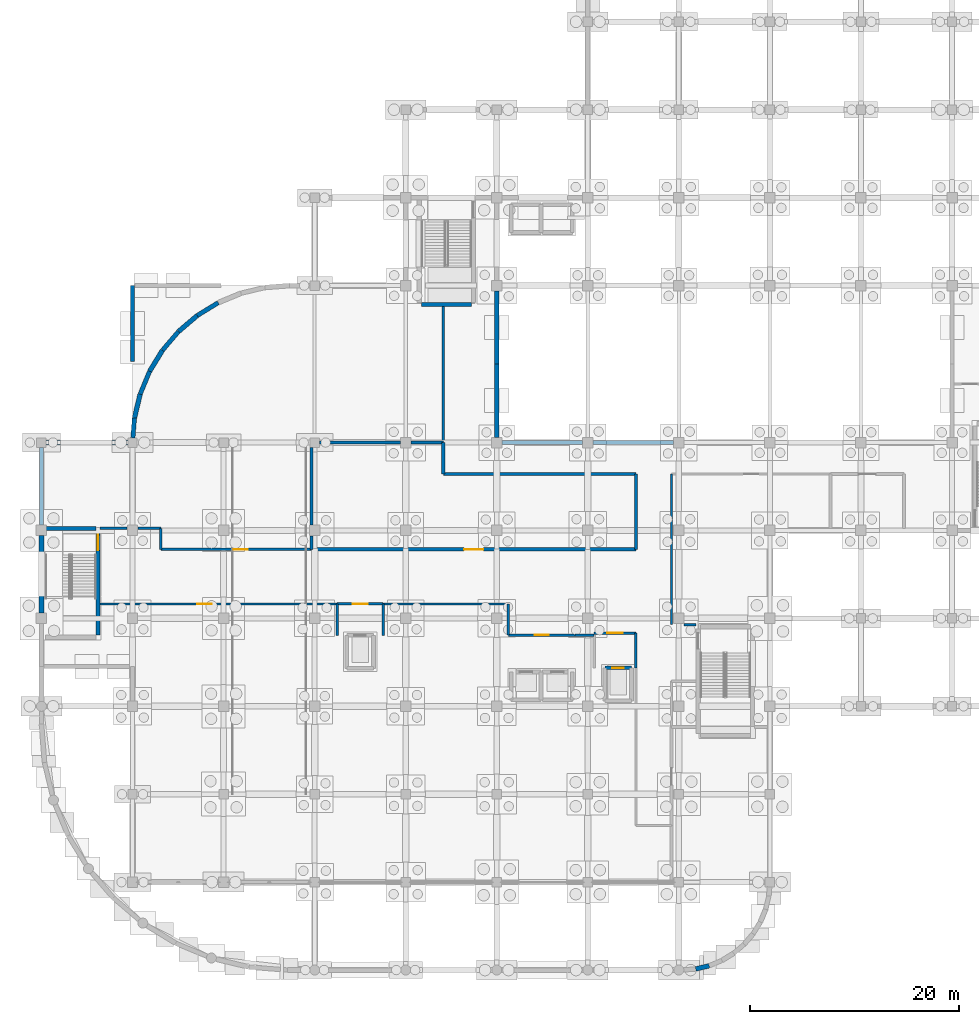
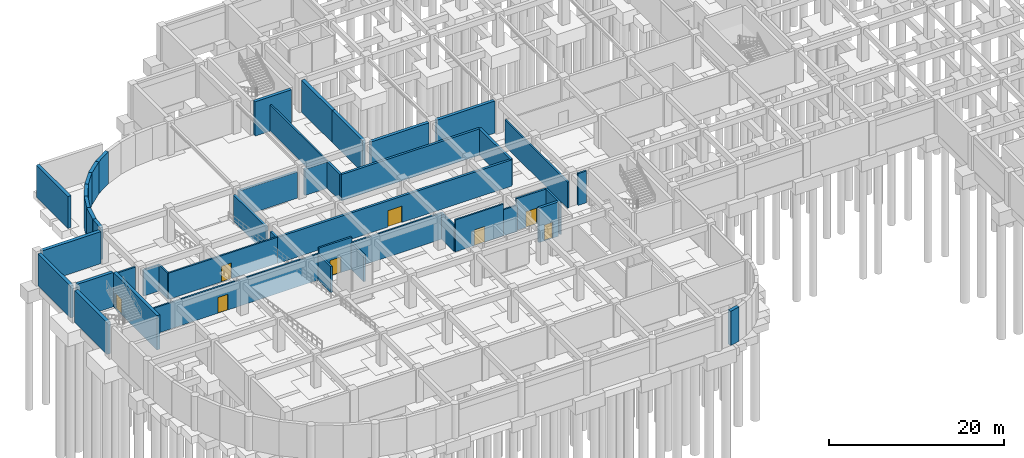
# One storey, part 25 of 33: 45 walls, 8 doors, 8 openings.
"""IFC4 building model written with IfcOpenShell, lengths in metres."""

import ifcopenshell
import ifcopenshell.guid

model = None  # the IFC model being written
_history = None  # IfcOwnerHistory: only IFC2X3 demands one
_inside = {}  # id of a spatial element -> (the spatial element, [elements in it])
_under = {}  # id of a project, library or spatial element -> (it, [spatial elements below it])
_declared = {}  # id of a project -> (the project, [libraries it declares])
_typed = {}  # id of a type object -> (the type object, [elements of that type])
_made_of = {}  # id of a material, layer set ... -> (it, [elements and type objects made of it])


def new_model(schema):
    """Start an empty IFC model of exactly this schema.

    Asked for "IFC4X3", IfcOpenShell would pick the latest addendum, in which some entities
    have other attributes; the version numbers below select the first issue.
    IFC2X3 requires an IfcOwnerHistory on every rooted entity: one is made here for all.
    """
    global model, _history
    if schema == "IFC4X3":
        model = ifcopenshell.file(schema_version=(4, 3, 0, 0))
    else:
        model = ifcopenshell.file(schema=schema)
    _inside.clear()
    _under.clear()
    _declared.clear()
    _typed.clear()
    _made_of.clear()
    _history = None
    if model.schema == "IFC2X3":
        org = make("IfcOrganization", Name="unknown")
        user = make(
            "IfcPersonAndOrganization",
            ThePerson=make("IfcPerson", FamilyName="unknown"),
            TheOrganization=org,
        )
        app = make(
            "IfcApplication",
            ApplicationDeveloper=org,
            Version="unknown",
            ApplicationFullName="unknown",
            ApplicationIdentifier="unknown",
        )
        _history = make(
            "IfcOwnerHistory",
            OwningUser=user,
            OwningApplication=app,
            ChangeAction="ADDED",
            CreationDate=0,
        )
    return model


def make(cls, **values):
    """One entity of the class cls with the attributes given. An attribute that is None is left unset."""
    return model.create_entity(
        cls, **{name: value for name, value in values.items() if value is not None}
    )


def rooted(cls, **values):
    """An entity with a GlobalId (a new one), such as an element, a storey or a relation."""
    return make(cls, GlobalId=ifcopenshell.guid.new(), OwnerHistory=_history, **values)


def si_unit(unit_type, name, prefix=None):
    """IfcSIUnit, for example si_unit("LENGTHUNIT", "METRE", prefix="MILLI")."""
    return make("IfcSIUnit", UnitType=unit_type, Prefix=prefix, Name=name)


def derived_unit(unit_type, elements):
    """IfcDerivedUnit: a product of units, each with its exponent."""
    return make(
        "IfcDerivedUnit",
        Elements=[
            make("IfcDerivedUnitElement", Unit=unit, Exponent=power)
            for unit, power in elements
        ],
        UnitType=unit_type,
    )


def assignment(units):
    """IfcUnitAssignment: the units of a project."""
    return None if units is None else make("IfcUnitAssignment", Units=units)


def point(xyz):
    """IfcCartesianPoint."""
    return None if xyz is None else make("IfcCartesianPoint", Coordinates=xyz)


def direction(xyz):
    """IfcDirection."""
    return None if xyz is None else make("IfcDirection", DirectionRatios=xyz)


def frame(location, z_axis=None, x_axis=None):
    """IfcAxis2Placement3D, a coordinate frame: its origin and axes. An axis left out is left unset."""
    return make(
        "IfcAxis2Placement3D",
        Location=point(location),
        Axis=direction(z_axis),
        RefDirection=direction(x_axis),
    )


def frame_2d(location, x_axis=None):
    """IfcAxis2Placement2D, a coordinate frame in the plane: its origin and x axis."""
    return make(
        "IfcAxis2Placement2D", Location=point(location), RefDirection=direction(x_axis)
    )


def origin():
    """The frame at (0, 0, 0) with its axes left unset."""
    return frame((0.0, 0.0, 0.0))


def place(relative_to, where):
    """IfcLocalPlacement: puts the frame where relative to a parent placement (None: the world)."""
    return make(
        "IfcLocalPlacement", PlacementRelTo=relative_to, RelativePlacement=where
    )


def context(
    kind, dimensions, precision=None, world=None, true_north=None, identifier=None
):
    """IfcGeometricRepresentationContext, for example the 3D "Model" context."""
    return make(
        "IfcGeometricRepresentationContext",
        ContextIdentifier=identifier,
        ContextType=kind,
        CoordinateSpaceDimension=dimensions,
        Precision=precision,
        WorldCoordinateSystem=world,
        TrueNorth=true_north,
    )


def subcontext(parent, identifier, kind, view, scale=None):
    """IfcGeometricRepresentationSubContext, for example "Body" below "Model"."""
    return make(
        "IfcGeometricRepresentationSubContext",
        ContextIdentifier=identifier,
        ContextType=kind,
        ParentContext=parent,
        TargetScale=scale,
        TargetView=view,
    )


def project(units=None, contexts=None):
    """IfcProject with its units and contexts."""
    return rooted(
        "IfcProject",
        Name="project",
        RepresentationContexts=contexts,
        UnitsInContext=assignment(units),
    )


def spatial(cls, under=None, at=None, **own):
    """A site, building, storey or space (cls), placed at a placement, below another one or the project."""
    s = rooted(cls, ObjectPlacement=at, **own)
    if under is not None:
        _under.setdefault(under.id(), (under, []))[1].append(s)
    return s


def profile(cls, at=None, kind="AREA", **sizes):
    """A parametric profile (cls). Its sizes go by their IFC names, for example OverallWidth=200.0."""
    return make(cls, ProfileType=kind, Position=at, **sizes)


def rectangle(**sizes):
    """IfcRectangleProfileDef."""
    return profile("IfcRectangleProfileDef", **sizes)


def extrude(swept, where, along, depth):
    """IfcExtrudedAreaSolid: the profile swept, set in the frame where, extruded along a direction by depth."""
    return make(
        "IfcExtrudedAreaSolid",
        SweptArea=swept,
        Position=where,
        ExtrudedDirection=direction(along),
        Depth=depth,
    )


def shape(context_of_items, identifier, shape_type, items):
    """IfcShapeRepresentation: the items that make up one representation, for example the "Body"."""
    return make(
        "IfcShapeRepresentation",
        ContextOfItems=context_of_items,
        RepresentationIdentifier=identifier,
        RepresentationType=shape_type,
        Items=items,
    )


def material(Name=None, Category=None):
    """IfcMaterial."""
    return make("IfcMaterial", Name=Name, Category=Category)


def layer(
    of_material, thickness, ventilated=None, Name=None, Category=None, Priority=None
):
    """IfcMaterialLayer: one layer of a wall or slab, of a material (None: an air gap)."""
    return make(
        "IfcMaterialLayer",
        Material=of_material,
        LayerThickness=thickness,
        IsVentilated=ventilated,
        Name=Name,
        Category=Category,
        Priority=Priority,
    )


def layer_set(layers, Name=None):
    """IfcMaterialLayerSet."""
    return make("IfcMaterialLayerSet", MaterialLayers=layers, LayerSetName=Name)


def made_of(thing, what):
    """Note that an element or type object is made of a material, layer set ...; save() writes the relation."""
    if what is not None:
        _made_of.setdefault(what.id(), (what, []))[1].append(thing)
    return thing


def type_object(cls, material=None, **own):
    """A type object (cls), such as IfcWallType, which elements share."""
    return made_of(rooted(cls, **own), material)


def element(
    cls,
    number,
    at=None,
    inside=None,
    cuts=None,
    type_object=None,
    material=None,
    context=None,
    identifier="Body",
    shape_type=None,
    held_by="IfcProductDefinitionShape",
    body=None,
    shapes=None,
    **own,
):
    """One element of the class cls, such as IfcWall. Its Tag is "e" and its number.

    at: its placement. inside: the storey or other place that contains it. cuts: it is an
    opening in that element (IfcRelVoidsElement). A single representation is given by context,
    identifier, shape_type and body (its items); several are given by shapes. held_by: the class
    of the entity that holds the representations. save() writes the other relations.
    """
    e = rooted(cls, Tag="e%d" % number, ObjectPlacement=at, **own)
    if body is not None:
        shapes = [shape(context, identifier, shape_type, body)]
    if shapes is not None:
        e.Representation = make(held_by, Representations=shapes)
    if inside is not None:
        _inside.setdefault(inside.id(), (inside, []))[1].append(e)
    if cuts is not None:
        rooted(
            "IfcRelVoidsElement", RelatingBuildingElement=cuts, RelatedOpeningElement=e
        )
    if type_object is not None:
        _typed.setdefault(type_object.id(), (type_object, []))[1].append(e)
    return made_of(e, material)


def fill(opening, filler):
    """IfcRelFillsElement: the door or window that sits in an opening."""
    return rooted(
        "IfcRelFillsElement",
        RelatingOpeningElement=opening,
        RelatedBuildingElement=filler,
    )


def aggregate(whole, parts):
    """IfcRelAggregates: a whole, such as a stair, and the parts it consists of."""
    return rooted("IfcRelAggregates", RelatingObject=whole, RelatedObjects=parts)


def save(model, path):
    """Write the relations noted so far, then the file.

    IfcRelAggregates (storeys below a building ...), IfcRelContainedInSpatialStructure (elements
    in a storey), IfcRelDefinesByType, IfcRelAssociatesMaterial and IfcRelDeclares: one each for
    every whole, place, type object, material and project.
    """
    for whole, parts in _under.values():
        aggregate(whole, parts)
    for where, things in _inside.values():
        rooted(
            "IfcRelContainedInSpatialStructure",
            RelatedElements=things,
            RelatingStructure=where,
        )
    for kind, things in _typed.values():
        rooted("IfcRelDefinesByType", RelatedObjects=things, RelatingType=kind)
    for what, things in _made_of.values():
        rooted("IfcRelAssociatesMaterial", RelatedObjects=things, RelatingMaterial=what)
    for by, libraries in _declared.values():
        rooted("IfcRelDeclares", RelatingContext=by, RelatedDefinitions=libraries)
    model.write(path)


model = new_model("IFC4")

# Units and contexts
model_context = context("Model", 3, precision=1e-05, world=origin(), true_north=direction((0.0, 1.0)))
body_context = subcontext(model_context, "Body", "Model", "MODEL_VIEW")
ifc_project = project(units=[si_unit("LENGTHUNIT", "METRE"), si_unit("AREAUNIT", "SQUARE_METRE"), si_unit("VOLUMEUNIT", "CUBIC_METRE"), si_unit("PLANEANGLEUNIT", "RADIAN"), si_unit("MASSUNIT", "GRAM", prefix="KILO"), derived_unit("THERMALTRANSMITTANCEUNIT", [(si_unit("MASSUNIT", "GRAM", prefix="KILO"), 1), (si_unit("TIMEUNIT", "SECOND"), -3), (si_unit("THERMODYNAMICTEMPERATUREUNIT", "KELVIN"), -1)])], contexts=[model_context])

# Site, building, storey
site_placement = place(None, origin())
site = spatial("IfcSite", under=ifc_project, at=site_placement, CompositionType="ELEMENT")
building_placement = place(site_placement, origin())
building = spatial("IfcBuilding", under=site, at=building_placement, Name="Qinzheling Arcade Emporium", CompositionType="ELEMENT")
storey_placement = place(building_placement, frame((0.0, 0.0, -9.60009765625)))
storey = spatial("IfcBuildingStorey", under=building, at=storey_placement, Name="B2", CompositionType="ELEMENT", Elevation=-9.60009765625)

# Wall, opening, door
ifc_material_1 = material(Name="Double-stud acoustic gypsum board partition")
ifc_layer_1 = layer(ifc_material_1, 0.215087890625, Name="Double-stud acoustic gypsum board partition")
ifc_layer_set_1 = layer_set([ifc_layer_1], Name="Double-stud acoustic gypsum board partition")
wall_type_1 = type_object("IfcWallType", Name="Acoustic Corridor Partition Wall 215", PredefinedType="PARTITIONING", material=ifc_layer_set_1)
wall_1_placement = place(storey_placement, frame((44.60009765625, 32.0, 0.0), z_axis=(0.0, 0.0, 1.0), x_axis=(1.0, 0.0, 0.0)))
wall_1 = element("IfcWall", 1, at=wall_1_placement, inside=storey, type_object=wall_type_1, Name="Interior Wall WL-B2-INT-0051", PredefinedType="PARTITIONING", context=body_context, shape_type="SweptSolid", body=[
    extrude(rectangle(XDim=6.39990234375, YDim=0.215087890625, at=frame_2d((3.199951171875, 0.0))), origin(), (0.0, 0.0, 1.0), 4.4501953125),
])
opening_1_placement = place(wall_1_placement, frame((2.52490234375, 0.0, 0.0)))
opening_1 = element("IfcOpeningElement", 2, at=opening_1_placement, cuts=wall_1, Name="Opening FD05", PredefinedType="OPENING", context=body_context, shape_type="SweptSolid", body=[
    extrude(rectangle(XDim=1.35009765625, YDim=2.199951171875, at=frame_2d((0.675048828125, 1.10009765625))), frame((0.0, 0.11767578125, 0.0), z_axis=(0.0, -1.0, 0.0), x_axis=(1.0, 0.0, 0.0)), (0.0, 0.0, 1.0), 0.235107421875),
])
ifc_material_2 = material(Name="Class B fire-rated stainless-clad door")
door_type_1 = type_object("IfcDoorType", Name="Kitchen Fire-Rated Service Door 1350x2200", OperationType="NOTDEFINED", PredefinedType="DOOR", material=ifc_material_2)
door_1_placement = place(opening_1_placement, origin())
door_1 = element("IfcDoor", 3, at=door_1_placement, inside=storey, type_object=door_type_1, Name="FD05 Interior Door DR-B2-INT-0016", OperationType="SINGLE_SWING_LEFT", OverallHeight=2.199951171875, OverallWidth=1.35009765625, PredefinedType="DOOR", context=body_context, shape_type="SweptSolid", body=[
    extrude(rectangle(XDim=1.35009765625, YDim=2.199951171875, at=frame_2d((0.675048828125, 1.10009765625))), frame((0.0, 0.02490234375, 0.0), z_axis=(0.0, -1.0, 0.0), x_axis=(1.0, 0.0, 0.0)), (0.0, 0.0, 1.0), 0.050048828125),
])
fill(opening_1, door_1)

# Walls
wall_2_placement = place(storey_placement, frame((60.199951171875, 47.39990234375, 0.0), z_axis=(0.0, 0.0, 1.0), x_axis=(0.0, -1.0, 0.0)))
element("IfcWall", 4, at=wall_2_placement, inside=storey, type_object=wall_type_1, Name="Interior Wall WL-B2-INT-0064", PredefinedType="PARTITIONING", context=body_context, shape_type="SweptSolid", body=[
    extrude(rectangle(XDim=14.39990234375, YDim=0.215087890625, at=frame_2d((7.199951171875, 0.0))), origin(), (0.0, 0.0, 1.0), 3.670166015625),
])
wall_3_placement = place(storey_placement, frame((61.409912109375, 33.0, 0.0), z_axis=(0.0, 0.0, 1.0), x_axis=(1.0, 0.0, 0.0)))
element("IfcWall", 5, at=wall_3_placement, inside=storey, type_object=wall_type_1, Name="Interior Wall WL-B2-INT-0065", PredefinedType="PARTITIONING", context=body_context, shape_type="SweptSolid", body=[
    extrude(rectangle(XDim=1.14013671875, YDim=0.215087890625, at=frame_2d((0.570068359375, 0.0))), origin(), (0.0, 0.0, 1.0), 4.4501953125),
])

# Wall, opening, door
wall_4_placement = place(storey_placement, frame((28.25, 34.97998046875, 0.0), z_axis=(0.0, 0.0, 1.0), x_axis=(-1.0, 0.0, 0.0)))
wall_4 = element("IfcWall", 6, at=wall_4_placement, inside=storey, type_object=wall_type_1, Name="Interior Wall WL-B2-INT-0066", PredefinedType="PARTITIONING", context=body_context, shape_type="SweptSolid", body=[
    extrude(rectangle(XDim=22.655029296875, YDim=0.215087890625, at=frame_2d((11.32763671875, 0.0))), origin(), (0.0, 0.0, 1.0), 3.670166015625),
])
opening_2_placement = place(wall_4_placement, frame((12.001953125, 0.0, 0.0)))
opening_2 = element("IfcOpeningElement", 7, at=opening_2_placement, cuts=wall_4, Name="Opening FD05", PredefinedType="OPENING", context=body_context, shape_type="SweptSolid", body=[
    extrude(rectangle(XDim=1.35009765625, YDim=2.199951171875, at=frame_2d((0.675048828125, 1.10009765625))), frame((0.0, 0.11767578125, 0.0), z_axis=(0.0, -1.0, 0.0), x_axis=(1.0, 0.0, 0.0)), (0.0, 0.0, 1.0), 0.235107421875),
])
door_2_placement = place(opening_2_placement, origin())
door_2 = element("IfcDoor", 8, at=door_2_placement, inside=storey, type_object=door_type_1, Name="FD05 Interior Door DR-B2-INT-0023", OperationType="SINGLE_SWING_RIGHT", OverallHeight=2.199951171875, OverallWidth=1.35009765625, PredefinedType="DOOR", context=body_context, shape_type="SweptSolid", body=[
    extrude(rectangle(XDim=1.35009765625, YDim=2.199951171875, at=frame_2d((0.675048828125, 1.10009765625))), frame((0.0, 0.02490234375, 0.0), z_axis=(0.0, -1.0, 0.0), x_axis=(1.0, 0.0, 0.0)), (0.0, 0.0, 1.0), 0.050048828125),
])
fill(opening_2, door_2)

# Walls
wall_5_placement = place(storey_placement, frame((44.60009765625, 32.0, 0.0), z_axis=(0.0, 0.0, 1.0), x_axis=(0.0, 1.0, 0.0)))
element("IfcWall", 9, at=wall_5_placement, inside=storey, type_object=wall_type_1, Name="Interior Wall WL-B2-INT-0067", PredefinedType="PARTITIONING", context=body_context, shape_type="SweptSolid", body=[
    extrude(rectangle(XDim=2.97998046875, YDim=0.215087890625, at=frame_2d((1.489990234375, 0.0))), origin(), (0.0, 0.0, 1.0), 3.670166015625),
])
wall_6_placement = place(storey_placement, frame((44.60009765625, 34.97998046875, 0.0), z_axis=(0.0, 0.0, 1.0), x_axis=(-1.0, 0.0, 0.0)))
element("IfcWall", 10, at=wall_6_placement, inside=storey, type_object=wall_type_1, Name="Interior Wall WL-B2-INT-0068", PredefinedType="PARTITIONING", context=body_context, shape_type="SweptSolid", body=[
    extrude(rectangle(XDim=11.9501953125, YDim=0.215087890625, at=frame_2d((5.97509765625, 0.0))), origin(), (0.0, 0.0, 1.0), 3.670166015625),
])
wall_7_placement = place(storey_placement, frame((52.800048828125, 32.0, 0.0), z_axis=(0.0, 0.0, 1.0), x_axis=(-1.0, 0.0, 0.0)))
element("IfcWall", 11, at=wall_7_placement, inside=storey, type_object=wall_type_1, Name="Interior Wall WL-B2-INT-0069", PredefinedType="PARTITIONING", context=body_context, shape_type="SweptSolid", body=[
    extrude(rectangle(XDim=1.800048828125, YDim=0.215087890625, at=frame_2d((0.89990234375, 0.0))), origin(), (0.0, 0.0, 1.0), 3.670166015625),
])
wall_8_placement = place(storey_placement, frame((5.590087890625, 42.199951171875, 0.0), z_axis=(0.0, 0.0, 1.0), x_axis=(1.0, 0.0, 0.0)))
element("IfcWall", 12, at=wall_8_placement, inside=storey, type_object=wall_type_1, Name="Interior Wall WL-B2-INT-0072", PredefinedType="PARTITIONING", context=body_context, shape_type="SweptSolid", body=[
    extrude(rectangle(XDim=2.599853515625, YDim=0.215087890625, at=frame_2d((1.2998046875, 0.0))), origin(), (0.0, 0.0, 1.0), 4.4501953125),
])
wall_9_placement = place(storey_placement, frame((9.2099609375, 42.199951171875, 0.0), z_axis=(0.0, 0.0, 1.0), x_axis=(1.0, 0.0, 0.0)))
element("IfcWall", 13, at=wall_9_placement, inside=storey, type_object=wall_type_1, Name="Interior Wall WL-B2-INT-0073", PredefinedType="PARTITIONING", context=body_context, shape_type="SweptSolid", body=[
    extrude(rectangle(XDim=2.18994140625, YDim=0.215087890625, at=frame_2d((1.094970703125, 0.0))), origin(), (0.0, 0.0, 1.0), 3.670166015625),
])
wall_10_placement = place(storey_placement, frame((11.39990234375, 42.199951171875, 0.0), z_axis=(0.0, 0.0, 1.0), x_axis=(0.0, -1.0, 0.0)))
element("IfcWall", 14, at=wall_10_placement, inside=storey, type_object=wall_type_1, Name="Interior Wall WL-B2-INT-0074", PredefinedType="PARTITIONING", context=body_context, shape_type="SweptSolid", body=[
    extrude(rectangle(XDim=2.0, YDim=0.215087890625, at=frame_2d((1.0, 0.0))), origin(), (0.0, 0.0, 1.0), 3.670166015625),
])

# Wall, opening, door
wall_11_placement = place(storey_placement, frame((11.39990234375, 40.199951171875, 0.0), z_axis=(0.0, 0.0, 1.0), x_axis=(1.0, 0.0, 0.0)))
wall_11 = element("IfcWall", 15, at=wall_11_placement, inside=storey, type_object=wall_type_1, Name="Interior Wall WL-B2-INT-0075", PredefinedType="PARTITIONING", context=body_context, shape_type="SweptSolid", body=[
    extrude(rectangle(XDim=14.400146484375, YDim=0.215087890625, at=frame_2d((7.2001953125, 0.0))), origin(), (0.0, 0.0, 1.0), 3.670166015625),
])
opening_3_placement = place(wall_11_placement, frame((6.97509765625, 0.0, 0.0)))
opening_3 = element("IfcOpeningElement", 16, at=opening_3_placement, cuts=wall_11, Name="Opening FD05", PredefinedType="OPENING", context=body_context, shape_type="SweptSolid", body=[
    extrude(rectangle(XDim=1.35009765625, YDim=2.199951171875, at=frame_2d((0.675048828125, 1.10009765625))), frame((0.0, 0.11767578125, 0.0), z_axis=(0.0, -1.0, 0.0), x_axis=(1.0, 0.0, 0.0)), (0.0, 0.0, 1.0), 0.235107421875),
])
door_3_placement = place(opening_3_placement, origin())
door_3 = element("IfcDoor", 17, at=door_3_placement, inside=storey, type_object=door_type_1, Name="FD05 Interior Door DR-B2-INT-0024", OperationType="SINGLE_SWING_LEFT", OverallHeight=2.199951171875, OverallWidth=1.35009765625, PredefinedType="DOOR", context=body_context, shape_type="SweptSolid", body=[
    extrude(rectangle(XDim=1.35009765625, YDim=2.199951171875, at=frame_2d((0.675048828125, 1.10009765625))), frame((0.0, 0.02490234375, 0.0), z_axis=(0.0, -1.0, 0.0), x_axis=(1.0, 0.0, 0.0)), (0.0, 0.0, 1.0), 0.050048828125),
])
fill(opening_3, door_3)

# Walls
wall_12_placement = place(storey_placement, frame((38.39990234375, 50.39990234375, 0.0), z_axis=(0.0, 0.0, 1.0), x_axis=(0.0, 1.0, 0.0)))
element("IfcWall", 18, at=wall_12_placement, inside=storey, type_object=wall_type_1, Name="Interior Wall WL-B2-INT-0076", PredefinedType="PARTITIONING", context=body_context, shape_type="SweptSolid", body=[
    extrude(rectangle(XDim=12.9951171875, YDim=0.215087890625, at=frame_2d((6.49755859375, 0.0))), origin(), (0.0, 0.0, 1.0), 3.670166015625),
])
ifc_material_3 = material(Name="Concrete C40", Category="concrete")
ifc_layer_2 = layer(ifc_material_3, 0.419921875, Name="Concrete C40", Category="concrete")
ifc_layer_set_2 = layer_set([ifc_layer_2], Name="Concrete C40")
wall_type_2 = type_object("IfcWallType", Name="Basement Ramp Retaining Wall 420 C40", PredefinedType="USERDEFINED", material=ifc_layer_set_2)
wall_13_placement = place(storey_placement, frame((0.0, 42.501953125, 0.0), z_axis=(0.0, 0.0, 1.0), x_axis=(0.0, 1.0, 0.0)))
element("IfcWall", 19, at=wall_13_placement, inside=storey, type_object=wall_type_2, Name="Retaining Wall WL-B2-RW-032", ObjectType="RETAININGWALL", PredefinedType="USERDEFINED", context=body_context, shape_type="SweptSolid", body=[
    extrude(rectangle(XDim=7.446044921875, YDim=0.419921875, at=frame_2d((3.72314453125, 0.0))), origin(), (0.0, 0.0, 1.0), 4.47998046875),
])
wall_14_placement = place(storey_placement, frame((8.736083984375, 50.85107421875, 0.0), z_axis=(0.0, 0.0, 1.0), x_axis=(0.078306322526, 0.996929345467, 0.0)))
element("IfcWall", 20, at=wall_14_placement, inside=storey, type_object=wall_type_2, Name="Retaining Wall WL-B2-RW-034", ObjectType="RETAININGWALL", PredefinedType="USERDEFINED", context=body_context, shape_type="SweptSolid", body=[
    extrude(rectangle(XDim=1.90185546875, YDim=0.419921875, at=frame_2d((0.950927734375, 0.0))), origin(), (0.0, 0.0, 1.0), 4.47998046875),
])
wall_15_placement = place(storey_placement, frame((9.43408203125, 55.034912109375, 0.0), z_axis=(0.0, 0.0, 1.0), x_axis=(0.382663195145, 0.923887914783, 0.0)))
element("IfcWall", 21, at=wall_15_placement, inside=storey, type_object=wall_type_2, Name="Retaining Wall WL-B2-RW-036", ObjectType="RETAININGWALL", PredefinedType="USERDEFINED", context=body_context, shape_type="SweptSolid", body=[
    extrude(rectangle(XDim=2.354248046875, YDim=0.419921875, at=frame_2d((1.17724609375, 0.0))), origin(), (0.0, 0.0, 1.0), 4.47998046875),
])
wall_16_placement = place(storey_placement, frame((11.56494140625, 59.217041015625, 0.0), z_axis=(0.0, 0.0, 1.0), x_axis=(0.649260916394, 0.760565751558, 0.0)))
element("IfcWall", 22, at=wall_16_placement, inside=storey, type_object=wall_type_2, Name="Retaining Wall WL-B2-RW-038", ObjectType="RETAININGWALL", PredefinedType="USERDEFINED", context=body_context, shape_type="SweptSolid", body=[
    extrude(rectangle(XDim=2.353515625, YDim=0.419921875, at=frame_2d((1.1767578125, 0.0))), origin(), (0.0, 0.0, 1.0), 4.47998046875),
])
wall_17_placement = place(storey_placement, frame((14.883056640625, 62.534912109375, 0.0), z_axis=(0.0, 0.0, 1.0), x_axis=(0.852604233849, 0.522557193447, 0.0)))
element("IfcWall", 23, at=wall_17_placement, inside=storey, type_object=wall_type_2, Name="Retaining Wall WL-B2-RW-040", ObjectType="RETAININGWALL", PredefinedType="USERDEFINED", context=body_context, shape_type="SweptSolid", body=[
    extrude(rectangle(XDim=2.353759765625, YDim=0.419921875, at=frame_2d((1.1767578125, 0.0))), origin(), (0.0, 0.0, 1.0), 4.47998046875),
])

# Wall, opening, door
ifc_material_4 = material(Name="Fire-rated double-stud gypsum and mineral wool wall")
ifc_layer_3 = layer(ifc_material_4, 0.2451171875, Name="Fire-rated double-stud gypsum and mineral wool wall")
ifc_layer_set_3 = layer_set([ifc_layer_3], Name="Fire-rated double-stud gypsum and mineral wool wall")
wall_type_3 = type_object("IfcWallType", Name="Firefighting Lobby Rated Wall 245", PredefinedType="STANDARD", material=ifc_layer_set_3)
wall_18_placement = place(storey_placement, frame((52.800048828125, 32.199951171875, 0.0), z_axis=(0.0, 0.0, 1.0), x_axis=(1.0, 0.0, 0.0)))
wall_18 = element("IfcWall", 24, at=wall_18_placement, inside=storey, type_object=wall_type_3, Name="Interior Wall WL-B2-INT-0045", PredefinedType="STANDARD", context=body_context, shape_type="SweptSolid", body=[
    extrude(rectangle(XDim=4.0, YDim=0.2451171875, at=frame_2d((2.0, 0.0))), origin(), (0.0, 0.0, 1.0), 4.4501953125),
])
opening_4_placement = place(wall_18_placement, frame((1.27490234375, 0.0, 0.0)))
opening_4 = element("IfcOpeningElement", 25, at=opening_4_placement, cuts=wall_18, Name="Opening FD02", PredefinedType="OPENING", context=body_context, shape_type="SweptSolid", body=[
    extrude(rectangle(XDim=1.449951171875, YDim=2.199951171875, at=frame_2d((0.72509765625, 1.10009765625))), frame((0.0, 0.132568359375, 0.0), z_axis=(0.0, -1.0, 0.0), x_axis=(1.0, 0.0, 0.0)), (0.0, 0.0, 1.0), 0.26513671875),
])
ifc_material_5 = material(Name="Class A fire-rated steel double door", Category="steel")
door_type_2 = type_object("IfcDoorType", Name="Firefighting Lobby Fire Door 1450x2200", OperationType="DOUBLE_DOOR_SINGLE_SWING", PredefinedType="DOOR", material=ifc_material_5)
door_4_placement = place(opening_4_placement, origin())
door_4 = element("IfcDoor", 26, at=door_4_placement, inside=storey, type_object=door_type_2, Name="FD02 Interior Door DR-B2-INT-0014", OperationType="DOUBLE_DOOR_SINGLE_SWING", OverallHeight=2.199951171875, OverallWidth=1.449951171875, PredefinedType="DOOR", context=body_context, shape_type="SweptSolid", body=[
    extrude(rectangle(XDim=1.449951171875, YDim=2.199951171875, at=frame_2d((0.72509765625, 1.10009765625))), frame((0.0, 0.02490234375, 0.0), z_axis=(0.0, -1.0, 0.0), x_axis=(1.0, 0.0, 0.0)), (0.0, 0.0, 1.0), 0.050048828125),
])
fill(opening_4, door_4)

# Wall
wall_19_placement = place(storey_placement, frame((56.800048828125, 32.199951171875, 0.0), z_axis=(0.0, 0.0, 1.0), x_axis=(0.0, -1.0, 0.0)))
element("IfcWall", 27, at=wall_19_placement, inside=storey, type_object=wall_type_3, Name="Interior Wall WL-B2-INT-0046", PredefinedType="STANDARD", context=body_context, shape_type="SweptSolid", body=[
    extrude(rectangle(XDim=3.320068359375, YDim=0.2451171875, at=frame_2d((1.66015625, 0.0))), origin(), (0.0, 0.0, 1.0), 4.4501953125),
])

# Wall, opening, door
wall_20_placement = place(storey_placement, frame((28.25, 34.97998046875, 0.0), z_axis=(0.0, 0.0, 1.0), x_axis=(1.0, 0.0, 0.0)))
wall_20 = element("IfcWall", 28, at=wall_20_placement, inside=storey, type_object=wall_type_3, Name="Interior Wall WL-B2-INT-0048", PredefinedType="STANDARD", context=body_context, shape_type="SweptSolid", body=[
    extrude(rectangle(XDim=4.39990234375, YDim=0.2451171875, at=frame_2d((2.199951171875, 0.0))), origin(), (0.0, 0.0, 1.0), 4.4501953125),
])
opening_5_placement = place(wall_20_placement, frame((1.47509765625, 0.0, 0.0)))
opening_5 = element("IfcOpeningElement", 29, at=opening_5_placement, cuts=wall_20, Name="Opening FD02", PredefinedType="OPENING", context=body_context, shape_type="SweptSolid", body=[
    extrude(rectangle(XDim=1.449951171875, YDim=2.199951171875, at=frame_2d((0.72509765625, 1.10009765625))), frame((0.0, 0.132568359375, 0.0), z_axis=(0.0, -1.0, 0.0), x_axis=(1.0, 0.0, 0.0)), (0.0, 0.0, 1.0), 0.26513671875),
])
door_5_placement = place(opening_5_placement, origin())
door_5 = element("IfcDoor", 30, at=door_5_placement, inside=storey, type_object=door_type_2, Name="FD02 Interior Door DR-B2-INT-0015", OperationType="DOUBLE_DOOR_SINGLE_SWING", OverallHeight=2.199951171875, OverallWidth=1.449951171875, PredefinedType="DOOR", context=body_context, shape_type="SweptSolid", body=[
    extrude(rectangle(XDim=1.449951171875, YDim=2.199951171875, at=frame_2d((0.72509765625, 1.10009765625))), frame((0.0, 0.02490234375, 0.0), z_axis=(0.0, -1.0, 0.0), x_axis=(1.0, 0.0, 0.0)), (0.0, 0.0, 1.0), 0.050048828125),
])
fill(opening_5, door_5)

# Walls
for number, where, z_axis, x_axis, name in (
    (31, (28.25, 31.97998046875, 0.0), (0.0, 0.0, 1.0), (0.0, 1.0, 0.0), "Interior Wall WL-B2-INT-0049"),
    (32, (32.64990234375, 34.97998046875, 0.0), (0.0, 0.0, 1.0), (0.0, -1.0, 0.0), "Interior Wall WL-B2-INT-0050"),
):
    element("IfcWall", number, at=place(storey_placement, frame(where, z_axis=z_axis, x_axis=x_axis)), inside=storey, type_object=wall_type_3, Name=name, PredefinedType="STANDARD", context=body_context, shape_type="SweptSolid", body=[
        extrude(rectangle(XDim=3.0, YDim=0.2451171875, at=frame_2d((1.5, 0.0))), origin(), (0.0, 0.0, 1.0), 3.670166015625),
    ])
ifc_layer_4 = layer(ifc_material_3, 0.409912109375, Name="Concrete C40", Category="concrete")
ifc_layer_set_4 = layer_set([ifc_layer_4], Name="Concrete C40")
wall_type_4 = type_object("IfcWallType", Name="Interior Basement Retaining Wall 410 C40", PredefinedType="USERDEFINED", material=ifc_layer_set_4)
wall_21_placement = place(storey_placement, frame((8.699951171875, 58.1279296875, 0.0), z_axis=(0.0, 0.0, 1.0), x_axis=(0.0, 1.0, 0.0)))
element("IfcWall", 33, at=wall_21_placement, inside=storey, type_object=wall_type_4, Name="Internal Basement Retaining Wall WL-B2-RW-136", ObjectType="RETAININGWALL", PredefinedType="USERDEFINED", context=body_context, shape_type="SweptSolid", body=[
    extrude(rectangle(XDim=7.27197265625, YDim=0.409912109375, at=frame_2d((3.635986328125, 0.0))), origin(), (0.0, 0.0, 1.0), 4.47998046875),
])
for number, where, z_axis, x_axis, name in (
    (34, (43.5, 64.89794921875, 0.0), (0.0, 0.0, 1.0), (0.0, -1.0, 0.0), "Internal Basement Retaining Wall WL-B2-RW-142"),
    (35, (43.5, 57.89794921875, 0.0), (0.0, 0.0, 1.0), (0.0, -1.0, 0.0), "Internal Basement Retaining Wall WL-B2-RW-143"),
):
    element("IfcWall", number, at=place(storey_placement, frame(where, z_axis=z_axis, x_axis=x_axis)), inside=storey, type_object=wall_type_4, Name=name, ObjectType="RETAININGWALL", PredefinedType="USERDEFINED", context=body_context, shape_type="SweptSolid", body=[
        extrude(rectangle(XDim=6.995849609375, YDim=0.409912109375, at=frame_2d((3.498046875, 0.0))), origin(), (0.0, 0.0, 1.0), 4.47998046875),
    ])
for number, where, z_axis, x_axis, name in (
    (36, (44.001953125, 50.39990234375, 0.0), (0.0, 0.0, 1.0), (1.0, 0.0, 0.0), "Internal Basement Retaining Wall WL-B2-RW-144"),
    (37, (52.701904296875, 50.39990234375, 0.0), (0.0, 0.0, 1.0), (1.0, 0.0, 0.0), "Internal Basement Retaining Wall WL-B2-RW-145"),
):
    element("IfcWall", number, at=place(storey_placement, frame(where, z_axis=z_axis, x_axis=x_axis)), inside=storey, type_object=wall_type_4, Name=name, ObjectType="RETAININGWALL", PredefinedType="USERDEFINED", context=body_context, shape_type="SweptSolid", body=[
        extrude(rectangle(XDim=7.696044921875, YDim=0.409912109375, at=frame_2d((3.84814453125, 0.0))), origin(), (0.0, 0.0, 1.0), 4.47998046875),
    ])

# Wall, opening, door
ifc_layer_5 = layer(ifc_material_3, 0.35009765625, Name="Concrete C40", Category="concrete")
ifc_layer_set_5 = layer_set([ifc_layer_5], Name="Concrete C40")
wall_type_5 = type_object("IfcWallType", Name="RC Lift Shaft Shear Wall 350 C40", PredefinedType="SHEAR", material=ifc_layer_set_5)
wall_22_placement = place(storey_placement, frame((53.824951171875, 28.875, 0.0), z_axis=(0.0, 0.0, 1.0), x_axis=(1.0, 0.0, 0.0)))
wall_22 = element("IfcWall", 38, at=wall_22_placement, inside=storey, type_object=wall_type_5, Name="Lift Shaft Wall WL-B2-LFT-LF01-N", PredefinedType="SHEAR", context=body_context, shape_type="SweptSolid", body=[
    extrude(rectangle(XDim=2.550048828125, YDim=0.35009765625, at=frame_2d((1.27490234375, 0.0))), origin(), (0.0, 0.0, 1.0), 4.800048828125),
])
opening_6_placement = place(wall_22_placement, frame((0.72509765625, 0.0, 0.0)))
opening_6 = element("IfcOpeningElement", 39, at=opening_6_placement, cuts=wall_22, Name="Opening LD01", PredefinedType="OPENING", context=body_context, shape_type="SweptSolid", body=[
    extrude(rectangle(XDim=1.10009765625, YDim=2.199951171875, at=frame_2d((0.550048828125, 1.10009765625))), frame((0.0, 0.18505859375, 0.0), z_axis=(0.0, -1.0, 0.0), x_axis=(1.0, 0.0, 0.0)), (0.0, 0.0, 1.0), 0.3701171875),
])
ifc_material_6 = material(Name="Fire-rated stainless steel sliding lift door", Category="steel")
door_type_3 = type_object("IfcDoorType", Name="Firefighting Lift Sliding Landing Door 1100x2200", OperationType="DOUBLE_DOOR_SLIDING", PredefinedType="DOOR", material=ifc_material_6)
door_6_placement = place(opening_6_placement, origin())
door_6 = element("IfcDoor", 40, at=door_6_placement, inside=storey, type_object=door_type_3, Name="LD01 Lift Landing Door LF01 B2", OperationType="DOUBLE_DOOR_SLIDING", OverallHeight=2.199951171875, OverallWidth=1.10009765625, PredefinedType="DOOR", context=body_context, shape_type="SweptSolid", body=[
    extrude(rectangle(XDim=1.10009765625, YDim=2.199951171875, at=frame_2d((0.550048828125, 1.10009765625))), frame((0.0, 0.02490234375, 0.0), z_axis=(0.0, -1.0, 0.0), x_axis=(1.0, 0.0, 0.0)), (0.0, 0.0, 1.0), 0.050048828125),
])
fill(opening_6, door_6)

ifc_material_7 = material(Name="Concrete C50", Category="concrete")
ifc_layer_6 = layer(ifc_material_7, 0.39990234375, Name="Concrete C50", Category="concrete")
ifc_layer_set_6 = layer_set([ifc_layer_6], Name="Concrete C50")
wall_type_6 = type_object("IfcWallType", Name="RC Stair Core Shear Wall 400 C50", PredefinedType="SHEAR", material=ifc_layer_set_6)
wall_23_placement = place(storey_placement, frame((5.389892578125, 42.0, 0.0), z_axis=(0.0, 0.0, 1.0), x_axis=(0.0, -1.0, 0.0)))
wall_23 = element("IfcWall", 41, at=wall_23_placement, inside=storey, type_object=wall_type_6, Name="Stair Core Wall WL-B2-ST02-EAST", PredefinedType="SHEAR", context=body_context, shape_type="SweptSolid", body=[
    extrude(rectangle(XDim=10.0, YDim=0.39990234375, at=frame_2d((5.0, 0.0))), origin(), (0.0, 0.0, 1.0), 4.800048828125),
])
opening_7_placement = place(wall_23_placement, frame((0.409912109375, 0.0, 0.0)))
opening_7 = element("IfcOpeningElement", 42, at=opening_7_placement, cuts=wall_23, Name="Opening FD01", PredefinedType="OPENING", context=body_context, shape_type="SweptSolid", body=[
    extrude(rectangle(XDim=1.5, YDim=2.199951171875, at=frame_2d((0.75, 1.10009765625))), frame((0.0, 0.2099609375, 0.0), z_axis=(0.0, -1.0, 0.0), x_axis=(1.0, 0.0, 0.0)), (0.0, 0.0, 1.0), 0.419921875),
])
door_type_4 = type_object("IfcDoorType", Name="Stairwell Smoke-Proof Fire Door 1500x2200", OperationType="DOUBLE_DOOR_SINGLE_SWING", PredefinedType="DOOR", material=ifc_material_5)
door_7_placement = place(opening_7_placement, origin())
door_7 = element("IfcDoor", 43, at=door_7_placement, inside=storey, type_object=door_type_4, Name="FD01 Stairwell Fire Door DR-B2-ST02-FD", OperationType="DOUBLE_DOOR_SINGLE_SWING", OverallHeight=2.199951171875, OverallWidth=1.5, PredefinedType="DOOR", context=body_context, shape_type="SweptSolid", body=[
    extrude(rectangle(XDim=1.5, YDim=2.199951171875, at=frame_2d((0.75, 1.10009765625))), frame((0.0, 0.02490234375, 0.0), z_axis=(0.0, -1.0, 0.0), x_axis=(1.0, 0.0, 0.0)), (0.0, 0.0, 1.0), 0.050048828125),
])
fill(opening_7, door_7)

# Walls
for number, where, z_axis, x_axis, name in (
    (44, (0.39990234375, 42.199951171875, 0.0), (0.0, 0.0, 1.0), (1.0, 0.0, 0.0), "Stair Core Wall WL-B2-ST02-NORTH"),
    (45, (41.090087890625, 63.60009765625, 0.0), (0.0, 0.0, 1.0), (-1.0, 0.0, 0.0), "Stair Core Wall WL-B2-ST03-SOUTH"),
):
    element("IfcWall", number, at=place(storey_placement, frame(where, z_axis=z_axis, x_axis=x_axis)), inside=storey, type_object=wall_type_6, Name=name, PredefinedType="SHEAR", context=body_context, shape_type="SweptSolid", body=[
        extrude(rectangle(XDim=4.7900390625, YDim=0.39990234375, at=frame_2d((2.39501953125, 0.0))), origin(), (0.0, 0.0, 1.0), 4.800048828125),
    ])

# Wall, opening, door
ifc_material_8 = material(Name="Autoclaved aerated concrete masonry with fire plaster", Category="masonry")
ifc_layer_7 = layer(ifc_material_8, 0.31005859375, Name="Autoclaved aerated concrete masonry with fire plaster", Category="masonry")
ifc_layer_set_7 = layer_set([ifc_layer_7], Name="Autoclaved aerated concrete masonry with fire plaster")
wall_type_7 = type_object("IfcWallType", Name="Retail Compartment Fire Wall 310 C40", PredefinedType="STANDARD", material=ifc_layer_set_7)
wall_24_placement = place(storey_placement, frame((25.800048828125, 40.199951171875, 0.0), z_axis=(0.0, 0.0, 1.0), x_axis=(1.0, 0.0, 0.0)))
wall_24 = element("IfcWall", 46, at=wall_24_placement, inside=storey, type_object=wall_type_7, Name="Interior Wall WL-B2-INT-0055", PredefinedType="STANDARD", context=body_context, shape_type="SweptSolid", body=[
    extrude(rectangle(XDim=31.0, YDim=0.31005859375, at=frame_2d((15.5, 0.0))), origin(), (0.0, 0.0, 1.0), 3.670166015625),
])
opening_8_placement = place(wall_24_placement, frame((14.574951171875, 0.0, 0.0)))
opening_8 = element("IfcOpeningElement", 47, at=opening_8_placement, cuts=wall_24, Name="Opening FD03", PredefinedType="OPENING", context=body_context, shape_type="SweptSolid", body=[
    extrude(rectangle(XDim=1.85009765625, YDim=2.300048828125, at=frame_2d((0.925048828125, 1.14990234375))), frame((0.0, 0.1650390625, 0.0), z_axis=(0.0, -1.0, 0.0), x_axis=(1.0, 0.0, 0.0)), (0.0, 0.0, 1.0), 0.330078125),
])
door_type_5 = type_object("IfcDoorType", Name="Stockroom Double Fire Door 1850x2300", OperationType="DOUBLE_DOOR_SINGLE_SWING", PredefinedType="DOOR", material=ifc_material_5)
door_8_placement = place(opening_8_placement, origin())
door_8 = element("IfcDoor", 48, at=door_8_placement, inside=storey, type_object=door_type_5, Name="FD03 Interior Door DR-B2-INT-0019", OperationType="DOUBLE_DOOR_SINGLE_SWING", OverallHeight=2.300048828125, OverallWidth=1.85009765625, PredefinedType="DOOR", context=body_context, shape_type="SweptSolid", body=[
    extrude(rectangle(XDim=1.85009765625, YDim=2.300048828125, at=frame_2d((0.925048828125, 1.14990234375))), frame((0.0, 0.02490234375, 0.0), z_axis=(0.0, -1.0, 0.0), x_axis=(1.0, 0.0, 0.0)), (0.0, 0.0, 1.0), 0.050048828125),
])
fill(opening_8, door_8)

# Walls
wall_25_placement = place(storey_placement, frame((56.800048828125, 40.199951171875, 0.0), z_axis=(0.0, 0.0, 1.0), x_axis=(0.0, 1.0, 0.0)))
element("IfcWall", 49, at=wall_25_placement, inside=storey, type_object=wall_type_7, Name="Interior Wall WL-B2-INT-0056", PredefinedType="STANDARD", context=body_context, shape_type="SweptSolid", body=[
    extrude(rectangle(XDim=7.199951171875, YDim=0.31005859375, at=frame_2d((3.60009765625, 0.0))), origin(), (0.0, 0.0, 1.0), 3.670166015625),
])
wall_26_placement = place(storey_placement, frame((56.800048828125, 47.39990234375, 0.0), z_axis=(0.0, 0.0, 1.0), x_axis=(-1.0, 0.0, 0.0)))
element("IfcWall", 50, at=wall_26_placement, inside=storey, type_object=wall_type_7, Name="Interior Wall WL-B2-INT-0057", PredefinedType="STANDARD", context=body_context, shape_type="SweptSolid", body=[
    extrude(rectangle(XDim=18.400146484375, YDim=0.31005859375, at=frame_2d((9.2001953125, 0.0))), origin(), (0.0, 0.0, 1.0), 3.670166015625),
])
wall_27_placement = place(storey_placement, frame((38.39990234375, 47.39990234375, 0.0), z_axis=(0.0, 0.0, 1.0), x_axis=(0.0, 1.0, 0.0)))
element("IfcWall", 51, at=wall_27_placement, inside=storey, type_object=wall_type_7, Name="Interior Wall WL-B2-INT-0058", PredefinedType="STANDARD", context=body_context, shape_type="SweptSolid", body=[
    extrude(rectangle(XDim=3.0, YDim=0.31005859375, at=frame_2d((1.5, 0.0))), origin(), (0.0, 0.0, 1.0), 3.670166015625),
])
wall_28_placement = place(storey_placement, frame((25.800048828125, 40.199951171875, 0.0), z_axis=(0.0, 0.0, 1.0), x_axis=(0.0, 1.0, 0.0)))
element("IfcWall", 52, at=wall_28_placement, inside=storey, type_object=wall_type_7, Name="Interior Wall WL-B2-INT-0081", PredefinedType="STANDARD", context=body_context, shape_type="SweptSolid", body=[
    extrude(rectangle(XDim=1.2900390625, YDim=0.31005859375, at=frame_2d((0.64501953125, 0.0))), origin(), (0.0, 0.0, 1.0), 3.670166015625),
])
wall_29_placement = place(storey_placement, frame((25.800048828125, 42.510009765625, 0.0), z_axis=(0.0, 0.0, 1.0), x_axis=(0.0, 1.0, 0.0)))
element("IfcWall", 53, at=wall_29_placement, inside=storey, type_object=wall_type_7, Name="Interior Wall WL-B2-INT-0082", PredefinedType="STANDARD", context=body_context, shape_type="SweptSolid", body=[
    extrude(rectangle(XDim=7.429931640625, YDim=0.31005859375, at=frame_2d((3.71484375, 0.0))), origin(), (0.0, 0.0, 1.0), 3.670166015625),
])
wall_30_placement = place(storey_placement, frame((26.56005859375, 50.39990234375, 0.0), z_axis=(0.0, 0.0, 1.0), x_axis=(1.0, 0.0, 0.0)))
element("IfcWall", 54, at=wall_30_placement, inside=storey, type_object=wall_type_7, Name="Interior Wall WL-B2-INT-0083", PredefinedType="STANDARD", context=body_context, shape_type="SweptSolid", body=[
    extrude(rectangle(XDim=7.72998046875, YDim=0.31005859375, at=frame_2d((3.864990234375, 0.0))), origin(), (0.0, 0.0, 1.0), 3.670166015625),
])
wall_31_placement = place(storey_placement, frame((35.31005859375, 50.39990234375, 0.0), z_axis=(0.0, 0.0, 1.0), x_axis=(1.0, 0.0, 0.0)))
element("IfcWall", 55, at=wall_31_placement, inside=storey, type_object=wall_type_7, Name="Interior Wall WL-B2-INT-0084", PredefinedType="STANDARD", context=body_context, shape_type="SweptSolid", body=[
    extrude(rectangle(XDim=3.08984375, YDim=0.31005859375, at=frame_2d((1.544921875, 0.0))), origin(), (0.0, 0.0, 1.0), 3.670166015625),
])
ifc_layer_8 = layer(ifc_material_3, 0.449951171875, Name="Concrete C40", Category="concrete")
ifc_layer_set_8 = layer_set([ifc_layer_8], Name="Concrete C40")
wall_type_8 = type_object("IfcWallType", Name="Waterproof Basement Retaining Wall 450 C40", PredefinedType="USERDEFINED", material=ifc_layer_set_8)
wall_32_placement = place(storey_placement, frame((63.7958984375, 0.410888671875, 0.0), z_axis=(0.0, 0.0, 1.0), x_axis=(-0.972355356444, -0.233506018754, 0.0)))
element("IfcWall", 56, at=wall_32_placement, inside=storey, type_object=wall_type_8, Name="Retaining Wall WL-B2-RW-011", ObjectType="RETAININGWALL", PredefinedType="USERDEFINED", context=body_context, shape_type="SweptSolid", body=[
    extrude(rectangle(XDim=1.318359375, YDim=0.449951171875, at=frame_2d((0.6591796875, 0.0))), origin(), (0.0, 0.0, 1.0), 4.800048828125),
])
wall_33_placement = place(storey_placement, frame((0.0, 34.10205078125, 0.0), z_axis=(0.0, 0.0, 1.0), x_axis=(0.0, 1.0, 0.0)))
element("IfcWall", 57, at=wall_33_placement, inside=storey, type_object=wall_type_8, Name="Retaining Wall WL-B2-RW-031", ObjectType="RETAININGWALL", PredefinedType="USERDEFINED", context=body_context, shape_type="SweptSolid", body=[
    extrude(rectangle(XDim=7.39599609375, YDim=0.449951171875, at=frame_2d((3.697998046875, 0.0))), origin(), (0.0, 0.0, 1.0), 4.47998046875),
])
wall_34_placement = place(storey_placement, frame((0.451904296875, 50.39990234375, 0.0), z_axis=(0.0, 0.0, 1.0), x_axis=(1.0, 0.0, 0.0)))
element("IfcWall", 58, at=wall_34_placement, inside=storey, type_object=wall_type_8, Name="Retaining Wall WL-B2-RW-033", ObjectType="RETAININGWALL", PredefinedType="USERDEFINED", context=body_context, shape_type="SweptSolid", body=[
    extrude(rectangle(XDim=7.796142578125, YDim=0.449951171875, at=frame_2d((3.89794921875, 0.0))), origin(), (0.0, 0.0, 1.0), 4.47998046875),
])
wall_35_placement = place(storey_placement, frame((8.885009765625, 52.7470703125, 0.0), z_axis=(0.0, 0.0, 1.0), x_axis=(0.233369027901, 0.97238824387, 0.0)))
element("IfcWall", 59, at=wall_35_placement, inside=storey, type_object=wall_type_8, Name="Retaining Wall WL-B2-RW-035", ObjectType="RETAININGWALL", PredefinedType="USERDEFINED", context=body_context, shape_type="SweptSolid", body=[
    extrude(rectangle(XDim=2.352783203125, YDim=0.449951171875, at=frame_2d((1.17626953125, 0.0))), origin(), (0.0, 0.0, 1.0), 4.47998046875),
])
wall_36_placement = place(storey_placement, frame((10.3349609375, 57.2099609375, 0.0), z_axis=(0.0, 0.0, 1.0), x_axis=(0.52251098453, 0.852632553358, 0.0)))
element("IfcWall", 60, at=wall_36_placement, inside=storey, type_object=wall_type_8, Name="Retaining Wall WL-B2-RW-037", ObjectType="RETAININGWALL", PredefinedType="USERDEFINED", context=body_context, shape_type="SweptSolid", body=[
    extrude(rectangle(XDim=2.35400390625, YDim=0.449951171875, at=frame_2d((1.177001953125, 0.0))), origin(), (0.0, 0.0, 1.0), 4.47998046875),
])
wall_37_placement = place(storey_placement, frame((13.093017578125, 61.007080078125, 0.0), z_axis=(0.0, 0.0, 1.0), x_axis=(0.760616976269, 0.649200905277, 0.0)))
element("IfcWall", 61, at=wall_37_placement, inside=storey, type_object=wall_type_8, Name="Retaining Wall WL-B2-RW-039", ObjectType="RETAININGWALL", PredefinedType="USERDEFINED", context=body_context, shape_type="SweptSolid", body=[
    extrude(rectangle(XDim=2.353515625, YDim=0.449951171875, at=frame_2d((1.1767578125, 0.0))), origin(), (0.0, 0.0, 1.0), 4.47998046875),
])

save(model, "model.ifc")
